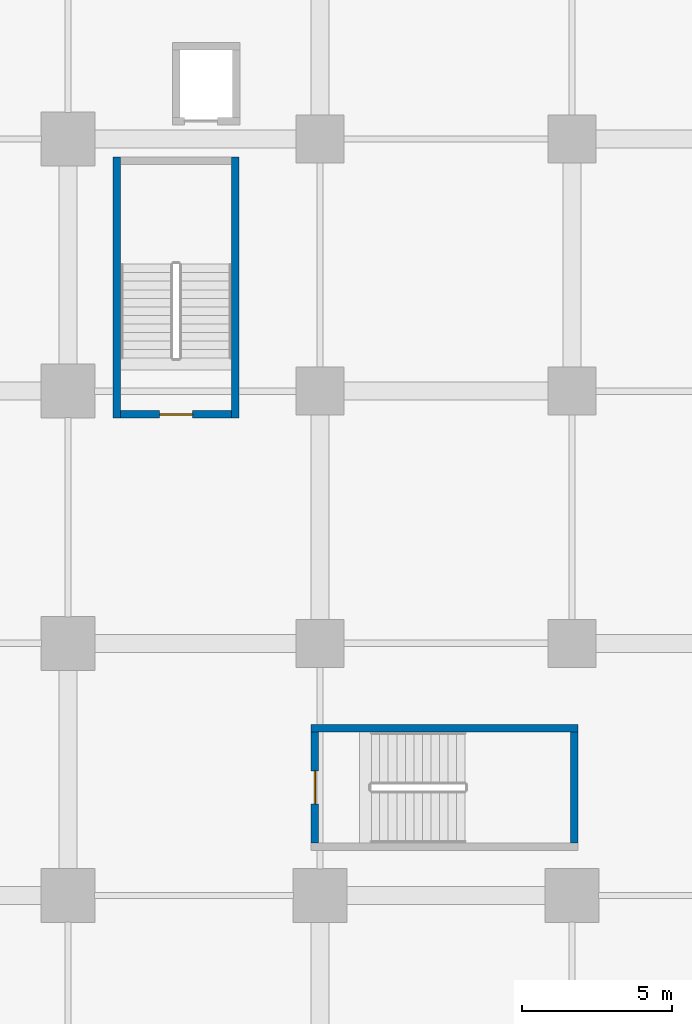
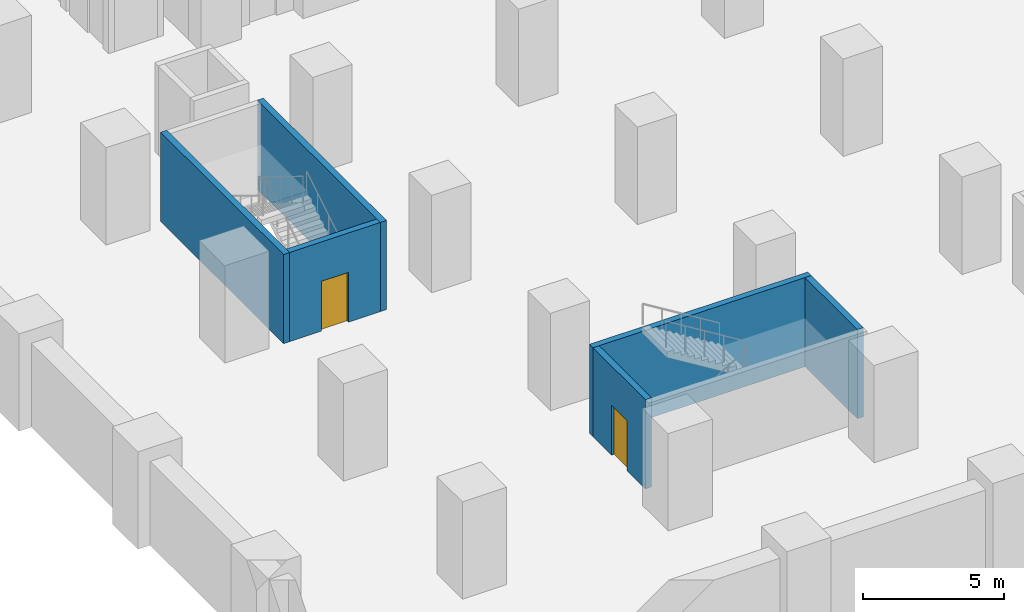
# One storey, part 5 of 13: 6 walls, 2 doors, 2 openings.
"""IFC4 building model written with IfcOpenShell, lengths in metres."""

from ifc_helpers import new_model, si_unit, direction, frame, frame_2d, origin, place, context, subcontext, project, spatial, rectangle, extrude, material, layer, layer_set, type_object, element, fill, save


model = new_model("IFC4")

# Units and contexts
model_context = context("Model", 3, precision=1e-05, world=origin(), true_north=direction((0.0, 1.0)))
body_context = subcontext(model_context, "Body", "Model", "MODEL_VIEW")
ifc_project = project(units=[si_unit("LENGTHUNIT", "METRE"), si_unit("AREAUNIT", "SQUARE_METRE"), si_unit("VOLUMEUNIT", "CUBIC_METRE"), si_unit("PLANEANGLEUNIT", "RADIAN"), si_unit("MASSUNIT", "GRAM", prefix="KILO")], contexts=[model_context])

# Site, building, storey
site_placement = place(None, origin())
site = spatial("IfcSite", under=ifc_project, at=site_placement, CompositionType="ELEMENT")
building_placement = place(site_placement, origin())
building = spatial("IfcBuilding", under=site, at=building_placement, Name="Koriwani Terraces Tower", CompositionType="ELEMENT")
storey_placement = place(building_placement, frame((0.0, 0.0, -4.199951171875)))
storey = spatial("IfcBuildingStorey", under=building, at=storey_placement, Name="B01", CompositionType="ELEMENT", Elevation=-4.199951171875)

# Walls
ifc_material_1 = material(Name="Concrete C40/50", Category="concrete")
ifc_layer = layer(ifc_material_1, 0.25, Name="Concrete C40/50")
ifc_layer_set = layer_set([ifc_layer], Name="Concrete C40/50")
wall_type = type_object("IfcWallType", Name="WALL_SHAFT_RATED_250", PredefinedType="SOLIDWALL", material=ifc_layer_set)
for number, where, z_axis, x_axis, name in (
    (1, (10.02490234375, 24.300048828125, 0.0), (0.0, 0.0, 1.0), (0.0, 1.0, 0.0), "B01 Podium Stair ST-P1 West Bearing Wall"),
    (2, (13.97509765625, 24.300048828125, 0.0), (0.0, 0.0, 1.0), (0.0, 1.0, 0.0), "B01 Podium Stair ST-P1 East Bearing Wall"),
):
    element("IfcWall", number, at=place(storey_placement, frame(where, z_axis=z_axis, x_axis=x_axis)), inside=storey, type_object=wall_type, Name=name, PredefinedType="SOLIDWALL", context=body_context, shape_type="SweptSolid", body=[
        extrude(rectangle(XDim=8.699951171875, YDim=0.25, at=frame_2d((4.35009765625, 0.0))), origin(), (0.0, 0.0, 1.0), 3.849853515625),
    ])
wall_1_placement = place(storey_placement, frame((16.5, 13.97509765625, 0.0), z_axis=(0.0, 0.0, 1.0), x_axis=(1.0, 0.0, 0.0)))
element("IfcWall", 3, at=wall_1_placement, inside=storey, type_object=wall_type, Name="B01 Podium Stair ST-P2 North Bearing Wall", PredefinedType="SOLIDWALL", context=body_context, shape_type="SweptSolid", body=[
    extrude(rectangle(XDim=8.89990234375, YDim=0.25, at=frame_2d((4.449951171875, 0.0))), origin(), (0.0, 0.0, 1.0), 3.849853515625),
])
wall_2_placement = place(storey_placement, frame((25.27490234375, 10.14990234375, 0.0), z_axis=(0.0, 0.0, 1.0), x_axis=(0.0, 1.0, 0.0)))
element("IfcWall", 4, at=wall_2_placement, inside=storey, type_object=wall_type, Name="B01 Podium Stair ST-P2 East Bearing Wall", PredefinedType="SOLIDWALL", context=body_context, shape_type="SweptSolid", body=[
    extrude(rectangle(XDim=3.7001953125, YDim=0.25, at=frame_2d((1.85009765625, 0.0))), origin(), (0.0, 0.0, 1.0), 3.849853515625),
])

# Wall, opening, door
wall_3_placement = place(storey_placement, frame((10.14990234375, 24.425048828125, 0.0), z_axis=(0.0, 0.0, 1.0), x_axis=(1.0, 0.0, 0.0)))
wall_3 = element("IfcWall", 5, at=wall_3_placement, inside=storey, type_object=wall_type, Name="B01 Interior Wall WIN-STP1-B01-S", PredefinedType="SOLIDWALL", context=body_context, shape_type="SweptSolid", body=[
    extrude(rectangle(XDim=3.7001953125, YDim=0.25, at=frame_2d((1.85009765625, 0.0))), origin(), (0.0, 0.0, 1.0), 3.849853515625),
])
opening_1_placement = place(wall_3_placement, frame((1.300048828125, 0.0, 0.0)))
opening_1 = element("IfcOpeningElement", 6, at=opening_1_placement, cuts=wall_3, Name="Opening D-03", PredefinedType="OPENING", context=body_context, shape_type="SweptSolid", body=[
    extrude(rectangle(XDim=1.10009765625, YDim=2.14990234375, at=frame_2d((0.550048828125, 1.074951171875))), frame((0.0, 0.135009765625, 0.0), z_axis=(0.0, -1.0, 0.0), x_axis=(1.0, 0.0, 0.0)), (0.0, 0.0, 1.0), 0.27001953125),
])
ifc_material_2 = material(Name="Steel ASTM A572 Grade 50", Category="steel")
door_type = type_object("IfcDoorType", Name="DOOR_STAIR_FIRE_1100X2150", OperationType="NOTDEFINED", PredefinedType="DOOR", material=ifc_material_2)
door_1_placement = place(opening_1_placement, origin())
door_1 = element("IfcDoor", 7, at=door_1_placement, inside=storey, type_object=door_type, Name="B01 Podium Exit Stair ST-P1 Door", OperationType="SINGLE_SWING_LEFT", OverallHeight=2.14990234375, OverallWidth=1.10009765625, PredefinedType="DOOR", context=body_context, shape_type="SweptSolid", body=[
    extrude(rectangle(XDim=1.10009765625, YDim=2.14990234375, at=frame_2d((0.550048828125, 1.074951171875))), frame((0.0, 0.02490234375, 0.0), z_axis=(0.0, -1.0, 0.0), x_axis=(1.0, 0.0, 0.0)), (0.0, 0.0, 1.0), 0.050048828125),
])
fill(opening_1, door_1)

wall_4_placement = place(storey_placement, frame((16.625, 10.14990234375, 0.0), z_axis=(0.0, 0.0, 1.0), x_axis=(0.0, 1.0, 0.0)))
wall_4 = element("IfcWall", 8, at=wall_4_placement, inside=storey, type_object=wall_type, Name="B01 Interior Wall WIN-STP2-B01-W", PredefinedType="SOLIDWALL", context=body_context, shape_type="SweptSolid", body=[
    extrude(rectangle(XDim=3.7001953125, YDim=0.25, at=frame_2d((1.85009765625, 0.0))), origin(), (0.0, 0.0, 1.0), 3.849853515625),
])
opening_2_placement = place(wall_4_placement, frame((1.300048828125, 0.0, 0.0)))
opening_2 = element("IfcOpeningElement", 9, at=opening_2_placement, cuts=wall_4, Name="Opening D-03", PredefinedType="OPENING", context=body_context, shape_type="SweptSolid", body=[
    extrude(rectangle(XDim=1.10009765625, YDim=2.14990234375, at=frame_2d((0.550048828125, 1.074951171875))), frame((0.0, 0.135009765625, 0.0), z_axis=(0.0, -1.0, 0.0), x_axis=(1.0, 0.0, 0.0)), (0.0, 0.0, 1.0), 0.27001953125),
])
door_2_placement = place(opening_2_placement, origin())
door_2 = element("IfcDoor", 10, at=door_2_placement, inside=storey, type_object=door_type, Name="B01 Podium Exit Stair ST-P2 Door", OperationType="SINGLE_SWING_RIGHT", OverallHeight=2.14990234375, OverallWidth=1.10009765625, PredefinedType="DOOR", context=body_context, shape_type="SweptSolid", body=[
    extrude(rectangle(XDim=1.10009765625, YDim=2.14990234375, at=frame_2d((0.550048828125, 1.074951171875))), frame((0.0, 0.02490234375, 0.0), z_axis=(0.0, -1.0, 0.0), x_axis=(1.0, 0.0, 0.0)), (0.0, 0.0, 1.0), 0.050048828125),
])
fill(opening_2, door_2)

save(model, "model.ifc")
